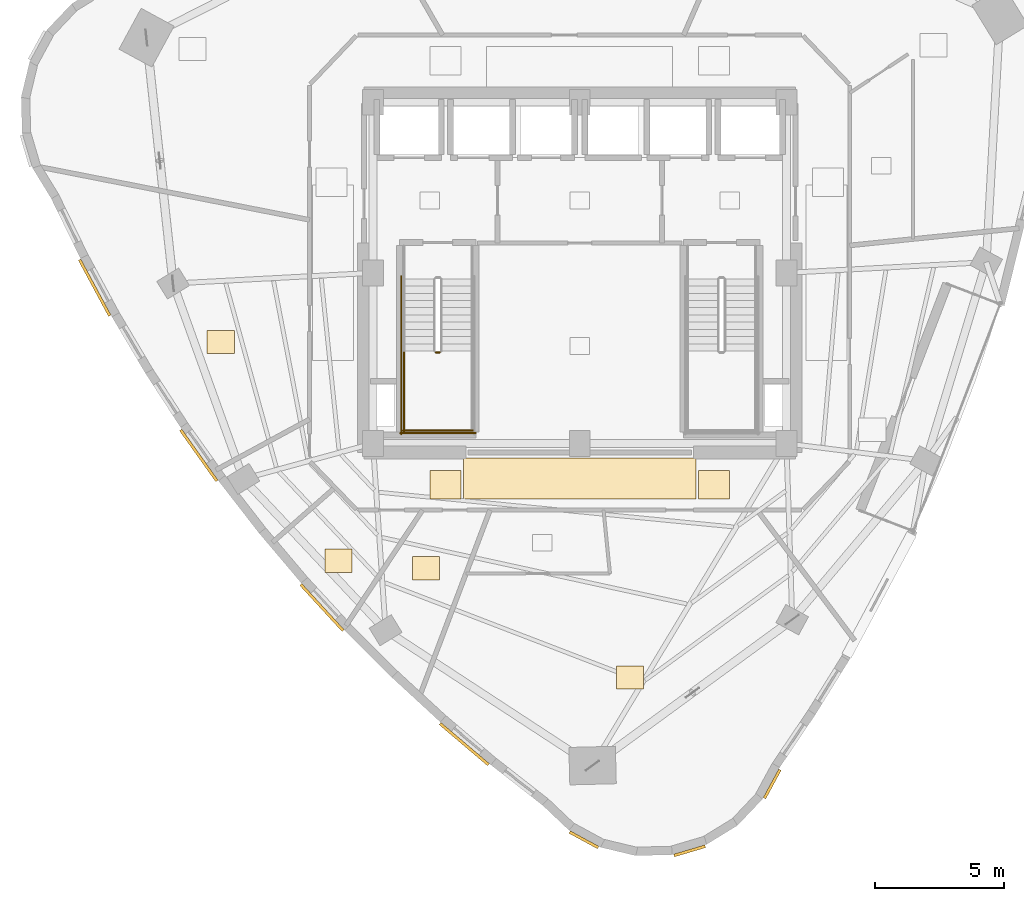
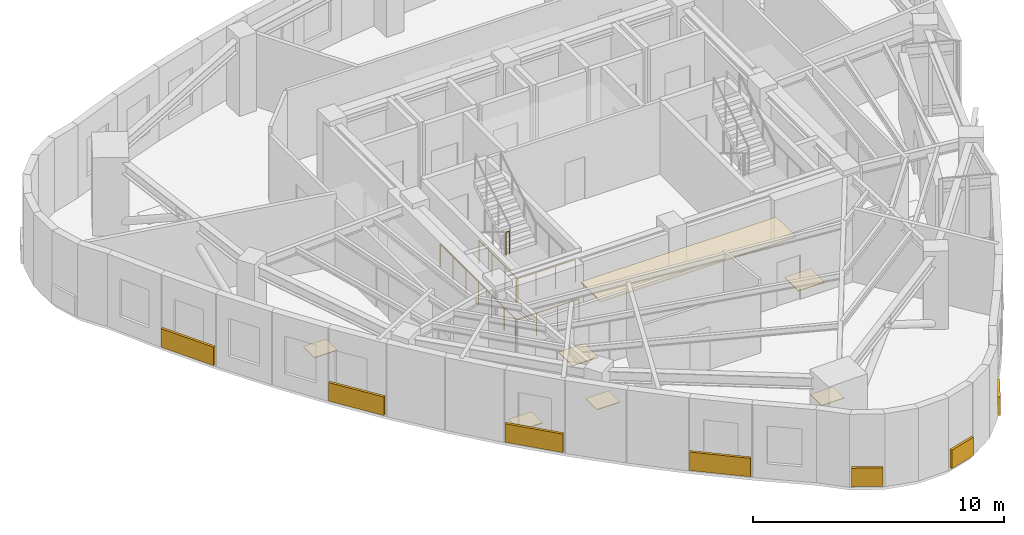
# One storey, part 8 of 10: 14 coverings, 5 railings.
"""IFC4 building model written with IfcOpenShell, lengths in metres."""

from ifc_helpers import new_model, si_unit, direction, frame, origin, origin_2d, place, context, subcontext, project, spatial, rectangle, circle, extrude, material, layer, layer_set, type_object, element, save


model = new_model("IFC4")

# Units and contexts
model_context = context("Model", 3, precision=1e-05, world=origin(), true_north=direction((0.0, 1.0)))
body_context = subcontext(model_context, "Body", "Model", "MODEL_VIEW")
ifc_project = project(units=[si_unit("LENGTHUNIT", "METRE"), si_unit("AREAUNIT", "SQUARE_METRE"), si_unit("VOLUMEUNIT", "CUBIC_METRE"), si_unit("PLANEANGLEUNIT", "RADIAN"), si_unit("MASSUNIT", "GRAM", prefix="KILO")], contexts=[model_context])

# Site, building, storey
site_placement = place(None, origin())
site = spatial("IfcSite", under=ifc_project, at=site_placement, CompositionType="ELEMENT")
building_placement = place(site_placement, origin())
building = spatial("IfcBuilding", under=site, at=building_placement, Name="Ndelora Gate Hotel", CompositionType="ELEMENT")
storey_placement = place(building_placement, frame((0.0, 0.0, 243.550048828125)))
storey = spatial("IfcBuildingStorey", under=building, at=storey_placement, Name="L61", CompositionType="ELEMENT", Elevation=243.550048828125)

# Coverings
ifc_material_1 = material(Name="Perforated Acoustic Gypsum Board", Category="gypsum")
ifc_layer_1 = layer(ifc_material_1, 0.054931640625)
ifc_layer_set_1 = layer_set([ifc_layer_1], Name="Perforated Acoustic Gypsum Board")
covering_type_1 = type_object("IfcCoveringType", Name="COV-CEIL-AC60", PredefinedType="CEILING", material=ifc_layer_set_1)
covering_1_placement = place(storey_placement, frame((0.0, -7.9599609375, 2.65234375), z_axis=(0.0, 0.0, 1.0), x_axis=(1.0, 0.0, 0.0)))
element("IfcCovering", 1, at=covering_1_placement, inside=storey, type_object=covering_type_1, Name="L61 Guest Corridor Acoustic Ceiling S", PredefinedType="CEILING", context=body_context, shape_type="SweptSolid", body=[
    extrude(rectangle(XDim=9.0, YDim=1.580078125, at=origin_2d()), origin(), (0.0, 0.0, 1.0), 0.054931640625),
])
ifc_material_2 = material(Name="Terracotta Fired Clay Brick Slip Cladding", Category="masonry")
ifc_layer_2 = layer(ifc_material_2, 0.110107421875)
ifc_layer_set_2 = layer_set([ifc_layer_2], Name="Terracotta Fired Clay Brick Slip Cladding")
covering_type_2 = type_object("IfcCoveringType", Name="COV-CLAD-BRK", PredefinedType="CLADDING", material=ifc_layer_set_2)
covering_2_placement = place(storey_placement, frame((-18.765380859375, -0.577392578125, 0.10009765625), z_axis=(0.0, 0.0, 1.0), x_axis=(-0.474241874114, 0.880394596097, 0.0)))
element("IfcCovering", 2, at=covering_2_placement, inside=storey, type_object=covering_type_2, Name="L61 Rounded-Corner Brick Cladding Band 10", PredefinedType="CLADDING", context=body_context, shape_type="SweptSolid", body=[
    extrude(rectangle(XDim=2.4599609375, YDim=0.110107421875, at=origin_2d()), origin(), (0.0, 0.0, 1.0), 0.89990234375),
])
covering_3_placement = place(storey_placement, frame((-14.739990234375, -7.063232421875, 0.10009765625), z_axis=(0.0, 0.0, 1.0), x_axis=(-0.579281172343, 0.815127795729, 0.0)))
element("IfcCovering", 3, at=covering_3_placement, inside=storey, type_object=covering_type_2, Name="L61 Rounded-Corner Brick Cladding Band 13", PredefinedType="CLADDING", context=body_context, shape_type="SweptSolid", body=[
    extrude(rectangle(XDim=2.4208984375, YDim=0.110107421875, at=origin_2d()), origin(), (0.0, 0.0, 1.0), 0.89990234375),
])
covering_4_placement = place(storey_placement, frame((-9.9736328125, -12.949462890625, 0.10009765625), z_axis=(0.0, 0.0, 1.0), x_axis=(-0.676875969683, 0.73609708712, 0.0)))
element("IfcCovering", 4, at=covering_4_placement, inside=storey, type_object=covering_type_2, Name="L61 Rounded-Corner Brick Cladding Band 16", PredefinedType="CLADDING", context=body_context, shape_type="SweptSolid", body=[
    extrude(rectangle(XDim=2.419921875, YDim=0.110107421875, at=origin_2d()), origin(), (0.0, 0.0, 1.0), 0.89990234375),
])
covering_5_placement = place(storey_placement, frame((-4.466552734375, -18.235107421875, 0.10009765625), z_axis=(0.0, 0.0, 1.0), x_axis=(-0.762555431968, 0.646922880393, 0.0)))
element("IfcCovering", 5, at=covering_5_placement, inside=storey, type_object=covering_type_2, Name="L61 Rounded-Corner Brick Cladding Band 19", PredefinedType="CLADDING", context=body_context, shape_type="SweptSolid", body=[
    extrude(rectangle(XDim=2.4599609375, YDim=0.110107421875, at=origin_2d()), origin(), (0.0, 0.0, 1.0), 0.89990234375),
])
covering_6_placement = place(storey_placement, frame((0.162109375, -21.9365234375, 0.10009765625), z_axis=(0.0, 0.0, 1.0), x_axis=(-0.878817112662, 0.47715876026, 0.0)))
element("IfcCovering", 6, at=covering_6_placement, inside=storey, type_object=covering_type_2, Name="L61 Rounded-Corner Brick Cladding Band 22", PredefinedType="CLADDING", context=body_context, shape_type="SweptSolid", body=[
    extrude(rectangle(XDim=1.257080078125, YDim=0.110107421875, at=origin_2d()), origin(), (0.0, 0.0, 1.0), 0.89990234375),
])
covering_7_placement = place(storey_placement, frame((4.252685546875, -22.366455078125, 0.10009765625), z_axis=(0.0, 0.0, 1.0), x_axis=(0.958819734868, 0.284015344704, 0.0)))
element("IfcCovering", 7, at=covering_7_placement, inside=storey, type_object=covering_type_2, Name="L61 Rounded-Corner Brick Cladding Band 25", PredefinedType="CLADDING", context=body_context, shape_type="SweptSolid", body=[
    extrude(rectangle(XDim=1.258056640625, YDim=0.110107421875, at=origin_2d()), origin(), (0.0, 0.0, 1.0), 0.89990234375),
])
covering_8_placement = place(storey_placement, frame((7.44921875, -19.778076171875, 0.10009765625), z_axis=(0.0, 0.0, 1.0), x_axis=(0.47715876026, 0.878817112662, 0.0)))
element("IfcCovering", 8, at=covering_8_placement, inside=storey, type_object=covering_type_2, Name="L61 Rounded-Corner Brick Cladding Band 28", PredefinedType="CLADDING", context=body_context, shape_type="SweptSolid", body=[
    extrude(rectangle(XDim=1.257080078125, YDim=0.110107421875, at=origin_2d()), origin(), (0.0, 0.0, 1.0), 0.89990234375),
])
ifc_material_3 = material(Name="Engineered Highland Oak Parquet", Category="wood")
ifc_layer_3 = layer(ifc_material_3, 0.030029296875)
ifc_layer_set_3 = layer_set([ifc_layer_3], Name="Engineered Highland Oak Parquet")
covering_type_3 = type_object("IfcCoveringType", Name="COV-FLR-PARQ", PredefinedType="FLOORING", material=ifc_layer_set_3)
for number, where, z_axis, x_axis, name in (
    (9, (1.947021484375, -15.656494140625, 0.0), (0.0, 0.0, 1.0), (1.0, 0.0, 0.0), "L61 Grand Highland Presidential Suite 6401 Oak Parquet Flooring"),
    (10, (-13.88671875, -2.67431640625, 0.0), (0.0, 0.0, 1.0), (1.0, 0.0, 0.0), "L61 Private Chef Service Kitchen Oak Parquet Flooring"),
    (11, (-9.330810546875, -11.140380859375, 0.0), (0.0, 0.0, 1.0), (1.0, 0.0, 0.0), "L61 Housekeeping and Linen Room Oak Parquet Flooring"),
    (12, (-5.94384765625, -11.4296875, 0.0), (0.0, 0.0, 1.0), (1.0, 0.0, 0.0), "L61 Accessible WC Oak Parquet Flooring"),
):
    element("IfcCovering", number, at=place(storey_placement, frame(where, z_axis=z_axis, x_axis=x_axis)), inside=storey, type_object=covering_type_3, Name=name, PredefinedType="FLOORING", context=body_context, shape_type="SweptSolid", body=[
        extrude(rectangle(XDim=1.050048828125, YDim=0.89990234375, at=origin_2d()), origin(), (0.0, 0.0, 1.0), 0.030029296875),
    ])
ifc_material_4 = material(Name="Polished Highland Stone Terrazzo", Category="masonry")
ifc_layer_4 = layer(ifc_material_4, 0.034912109375)
ifc_layer_set_4 = layer_set([ifc_layer_4], Name="Polished Highland Stone Terrazzo")
covering_type_4 = type_object("IfcCoveringType", Name="COV-FLR-TERZ", PredefinedType="FLOORING", material=ifc_layer_set_4)
for number, where, z_axis, x_axis, name in (
    (13, (-5.199951171875, -8.199951171875, 0.0), (0.0, 0.0, 1.0), (1.0, 0.0, 0.0), "L61 Corridor Threshold Terrazzo Inlay SW"),
    (14, (5.199951171875, -8.199951171875, 0.0), (0.0, 0.0, 1.0), (1.0, 0.0, 0.0), "L61 Corridor Threshold Terrazzo Inlay SE"),
):
    element("IfcCovering", number, at=place(storey_placement, frame(where, z_axis=z_axis, x_axis=x_axis)), inside=storey, type_object=covering_type_4, Name=name, PredefinedType="FLOORING", context=body_context, shape_type="SweptSolid", body=[
        extrude(rectangle(XDim=1.199951171875, YDim=1.10009765625, at=origin_2d()), origin(), (0.0, 0.0, 1.0), 0.034912109375),
    ])

# Railings
ifc_material_5 = material(Name="Painted Galvanized Steel Balustrade", Category="steel")
ifc_layer_5 = layer(ifc_material_5, 0.06005859375)
ifc_layer_set_5 = layer_set([ifc_layer_5], Name="Painted Galvanized Steel Balustrade")
railing_type = type_object("IfcRailingType", Name="RL-STAIR-GD", PredefinedType="GUARDRAIL", material=ifc_layer_set_5)
railing_1_placement = place(storey_placement, frame((-5.570068359375, -3.080078125, 1.89990234375)))
element("IfcRailing", 15, at=railing_1_placement, inside=storey, type_object=railing_type, Name="L61 ST4 stair guard 2", PredefinedType="GUARDRAIL", context=body_context, shape_type="SweptSolid", body=[
    extrude(circle(Radius=0.02392578125, at=origin_2d()), frame((0.0, 0.0, 1.10595703125), z_axis=(1.0, 0.0, 0.0), x_axis=(0.0, 1.0, 0.0)), (0.0, 0.0, 1.0), 0.16015625),
    extrude(circle(Radius=0.02099609375, at=origin_2d()), origin(), (0.0, 0.0, 1.0), 1.081787109375),
    extrude(circle(Radius=0.02099609375, at=origin_2d()), frame((0.16015625, 0.0, 0.0)), (0.0, 0.0, 1.0), 1.081787109375),
])
railing_2_placement = place(storey_placement, frame((-6.800048828125, -3.030029296875, 1.89990234375)))
element("IfcRailing", 16, at=railing_2_placement, inside=storey, type_object=railing_type, Name="L61 ST4 stair guard 3", PredefinedType="GUARDRAIL", context=body_context, shape_type="SweptSolid", body=[
    extrude(circle(Radius=0.02392578125, at=origin_2d()), frame((0.0, 0.0, 1.10595703125), z_axis=(0.0, -1.0, 0.0), x_axis=(1.0, 0.0, 0.0)), (0.0, 0.0, 1.0), 3.119873046875),
    extrude(circle(Radius=0.02099609375, at=origin_2d()), origin(), (0.0, 0.0, 1.0), 1.081787109375),
    extrude(circle(Radius=0.02099609375, at=origin_2d()), frame((0.0, -1.0400390625, 0.0)), (0.0, 0.0, 1.0), 1.081787109375),
    extrude(circle(Radius=0.02099609375, at=origin_2d()), frame((0.0, -2.079833984375, 0.0)), (0.0, 0.0, 1.0), 1.081787109375),
    extrude(circle(Radius=0.02099609375, at=origin_2d()), frame((0.0, -3.119873046875, 0.0)), (0.0, 0.0, 1.0), 1.081787109375),
])
railing_3_placement = place(storey_placement, frame((-6.85009765625, -6.10009765625, 1.89990234375)))
element("IfcRailing", 17, at=railing_3_placement, inside=storey, type_object=railing_type, Name="L61 ST4 stair guard 5", PredefinedType="GUARDRAIL", context=body_context, shape_type="SweptSolid", body=[
    extrude(circle(Radius=0.02392578125, at=origin_2d()), frame((0.0, 0.0, 1.10595703125), z_axis=(1.0, 0.0, 0.0), x_axis=(0.0, 1.0, 0.0)), (0.0, 0.0, 1.0), 2.72021484375),
    extrude(circle(Radius=0.02099609375, at=origin_2d()), origin(), (0.0, 0.0, 1.0), 1.081787109375),
    extrude(circle(Radius=0.02099609375, at=origin_2d()), frame((0.90673828125, 0.0, 0.0)), (0.0, 0.0, 1.0), 1.081787109375),
    extrude(circle(Radius=0.02099609375, at=origin_2d()), frame((1.8134765625, 0.0, 0.0)), (0.0, 0.0, 1.0), 1.081787109375),
    extrude(circle(Radius=0.02099609375, at=origin_2d()), frame((2.72021484375, 0.0, 0.0)), (0.0, 0.0, 1.0), 1.081787109375),
])
railing_4_placement = place(storey_placement, frame((-6.89990234375, -0.1298828125, 0.0)))
element("IfcRailing", 18, at=railing_4_placement, inside=storey, type_object=railing_type, Name="L61 ST4 stair guard 10", PredefinedType="GUARDRAIL", context=body_context, shape_type="SweptSolid", body=[
    extrude(circle(Radius=0.02392578125, at=origin_2d()), frame((0.0, 0.0, 1.10595703125), z_axis=(0.0, -1.0, 0.0), x_axis=(1.0, 0.0, 0.0)), (0.0, 0.0, 1.0), 6.1201171875),
    extrude(circle(Radius=0.02099609375, at=origin_2d()), origin(), (0.0, 0.0, 1.0), 1.081787109375),
    extrude(circle(Radius=0.02099609375, at=origin_2d()), frame((0.0, -1.02001953125, 0.0)), (0.0, 0.0, 1.0), 1.081787109375),
    extrude(circle(Radius=0.02099609375, at=origin_2d()), frame((0.0, -2.0400390625, 0.0)), (0.0, 0.0, 1.0), 1.081787109375),
    extrude(circle(Radius=0.02099609375, at=origin_2d()), frame((0.0, -3.06005859375, 0.0)), (0.0, 0.0, 1.0), 1.081787109375),
    extrude(circle(Radius=0.02099609375, at=origin_2d()), frame((0.0, -4.080078125, 0.0)), (0.0, 0.0, 1.0), 1.081787109375),
    extrude(circle(Radius=0.02099609375, at=origin_2d()), frame((0.0, -5.10009765625, 0.0)), (0.0, 0.0, 1.0), 1.081787109375),
    extrude(circle(Radius=0.02099609375, at=origin_2d()), frame((0.0, -6.1201171875, 0.0)), (0.0, 0.0, 1.0), 1.081787109375),
])
railing_5_placement = place(storey_placement, frame((-6.949951171875, -6.199951171875, 0.0)))
element("IfcRailing", 19, at=railing_5_placement, inside=storey, type_object=railing_type, Name="L61 ST4 stair guard 12", PredefinedType="GUARDRAIL", context=body_context, shape_type="SweptSolid", body=[
    extrude(circle(Radius=0.02392578125, at=origin_2d()), frame((0.0, 0.0, 1.10595703125), z_axis=(1.0, 0.0, 0.0), x_axis=(0.0, 1.0, 0.0)), (0.0, 0.0, 1.0), 2.919921875),
    extrude(circle(Radius=0.02099609375, at=origin_2d()), origin(), (0.0, 0.0, 1.0), 1.081787109375),
    extrude(circle(Radius=0.02099609375, at=origin_2d()), frame((0.973388671875, 0.0, 0.0)), (0.0, 0.0, 1.0), 1.081787109375),
    extrude(circle(Radius=0.02099609375, at=origin_2d()), frame((1.946533203125, 0.0, 0.0)), (0.0, 0.0, 1.0), 1.081787109375),
    extrude(circle(Radius=0.02099609375, at=origin_2d()), frame((2.919921875, 0.0, 0.0)), (0.0, 0.0, 1.0), 1.081787109375),
])

save(model, "model.ifc")
